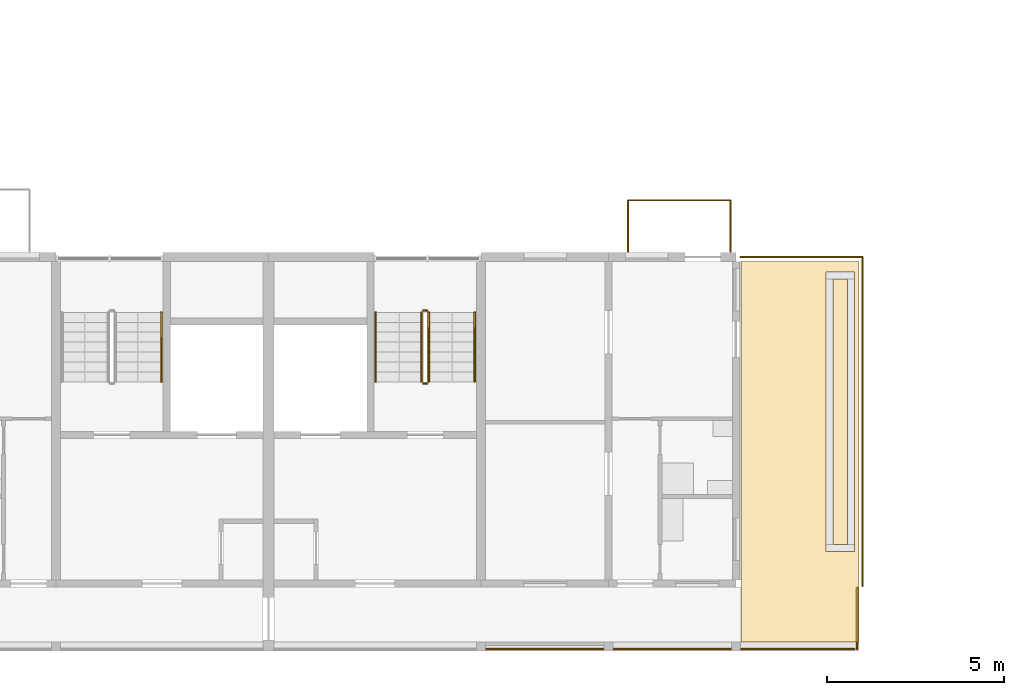
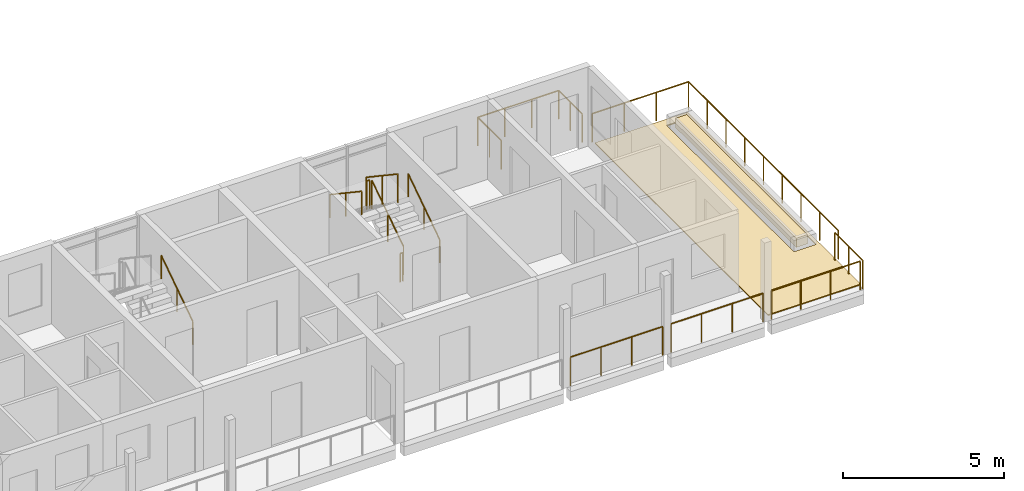
# One storey, part 53 of 64: 13 railings, 3 coverings.
"""IFC4 building model written with IfcOpenShell, lengths in metres."""

from ifc_helpers import new_model, si_unit, direction, frame, origin, origin_2d, place, context, subcontext, project, spatial, polyline, circle, outline, extrude, material, layer, layer_set, type_object, element, save


model = new_model("IFC4")

# Units and contexts
model_context = context("Model", 3, precision=1e-05, world=origin(), true_north=direction((0.0, 1.0)))
body_context = subcontext(model_context, "Body", "Model", "MODEL_VIEW")
ifc_project = project(units=[si_unit("LENGTHUNIT", "METRE"), si_unit("AREAUNIT", "SQUARE_METRE"), si_unit("VOLUMEUNIT", "CUBIC_METRE"), si_unit("PLANEANGLEUNIT", "RADIAN"), si_unit("MASSUNIT", "GRAM", prefix="KILO")], contexts=[model_context])

# Site, building, storey
site_placement = place(None, origin())
site = spatial("IfcSite", under=ifc_project, at=site_placement, CompositionType="ELEMENT")
building_placement = place(site_placement, origin())
building = spatial("IfcBuilding", under=site, at=building_placement, Name="Ridgestep Commons", CompositionType="ELEMENT")
storey_placement = place(building_placement, frame((0.0, 0.0, 33.0)))
storey = spatial("IfcBuildingStorey", under=building, at=storey_placement, Name="L11", CompositionType="ELEMENT", Elevation=33.0)

# Railings
ifc_material_1 = material(Name="Structural steel S355JR", Category="steel")
railing_type_1 = type_object("IfcRailingType", Name="Guard 1100", PredefinedType="GUARDRAIL", material=ifc_material_1)
railing_1_placement = place(storey_placement, frame((112.779052734375, 13.571044921875, 0.0)))
element("IfcRailing", 1, at=railing_1_placement, inside=storey, type_object=railing_type_1, Name="Guard TD-A6R1-GD", PredefinedType="GUARDRAIL", context=body_context, shape_type="SweptSolid", body=[
    extrude(circle(Radius=0.02392578125, at=origin_2d()), frame((0.0, 0.0, 1.076171875), z_axis=(0.0, 1.0, 0.0), x_axis=(-1.0, 0.0, 0.0)), (0.0, 0.0, 1.0), 9.303955078125),
    extrude(circle(Radius=0.02392578125, at=origin_2d()), frame((0.0, 9.303955078125, 1.076171875), z_axis=(-1.0, 0.0, 0.0), x_axis=(0.0, -1.0, 0.0)), (0.0, 0.0, 1.0), 3.4580078125),
    extrude(circle(Radius=0.02099609375, at=origin_2d()), origin(), (0.0, 0.0, 1.0), 1.052001953125),
    extrude(circle(Radius=0.02099609375, at=origin_2d()), frame((0.0, 1.1630859375, 0.0)), (0.0, 0.0, 1.0), 1.052001953125),
    extrude(circle(Radius=0.02099609375, at=origin_2d()), frame((0.0, 2.325927734375, 0.0)), (0.0, 0.0, 1.0), 1.052001953125),
    extrude(circle(Radius=0.02099609375, at=origin_2d()), frame((0.0, 3.489013671875, 0.0)), (0.0, 0.0, 1.0), 1.052001953125),
    extrude(circle(Radius=0.02099609375, at=origin_2d()), frame((0.0, 4.65185546875, 0.0)), (0.0, 0.0, 1.0), 1.052001953125),
    extrude(circle(Radius=0.02099609375, at=origin_2d()), frame((0.0, 5.81494140625, 0.0)), (0.0, 0.0, 1.0), 1.052001953125),
    extrude(circle(Radius=0.02099609375, at=origin_2d()), frame((0.0, 6.97802734375, 0.0)), (0.0, 0.0, 1.0), 1.052001953125),
    extrude(circle(Radius=0.02099609375, at=origin_2d()), frame((0.0, 8.140869140625, 0.0)), (0.0, 0.0, 1.0), 1.052001953125),
    extrude(circle(Radius=0.02099609375, at=origin_2d()), frame((0.0, 9.303955078125, 0.0)), (0.0, 0.0, 1.0), 1.052001953125),
    extrude(circle(Radius=0.02099609375, at=origin_2d()), frame((-1.152587890625, 9.303955078125, 0.0)), (0.0, 0.0, 1.0), 1.052001953125),
    extrude(circle(Radius=0.02099609375, at=origin_2d()), frame((-2.305419921875, 9.303955078125, 0.0)), (0.0, 0.0, 1.0), 1.052001953125),
    extrude(circle(Radius=0.02099609375, at=origin_2d()), frame((-3.4580078125, 9.303955078125, 0.0)), (0.0, 0.0, 1.0), 1.052001953125),
])
railing_2_placement = place(storey_placement, frame((102.14599609375, 11.800048828125, 0.0)))
element("IfcRailing", 2, at=railing_2_placement, inside=storey, type_object=railing_type_1, Name="Gallery guard A 11.9", PredefinedType="GUARDRAIL", context=body_context, shape_type="SweptSolid", body=[
    extrude(circle(Radius=0.02392578125, at=origin_2d()), frame((0.0, 0.0, 1.076171875), z_axis=(1.0, 0.0, 0.0), x_axis=(0.0, 1.0, 0.0)), (0.0, 0.0, 1.0), 3.30810546875),
    extrude(circle(Radius=0.02099609375, at=origin_2d()), origin(), (0.0, 0.0, 1.0), 1.052001953125),
    extrude(circle(Radius=0.02099609375, at=origin_2d()), frame((1.102783203125, 0.0, 0.0)), (0.0, 0.0, 1.0), 1.052001953125),
    extrude(circle(Radius=0.02099609375, at=origin_2d()), frame((2.205322265625, 0.0, 0.0)), (0.0, 0.0, 1.0), 1.052001953125),
    extrude(circle(Radius=0.02099609375, at=origin_2d()), frame((3.30810546875, 0.0, 0.0)), (0.0, 0.0, 1.0), 1.052001953125),
])
railing_3_placement = place(storey_placement, frame((105.74609375, 11.800048828125, 0.0)))
element("IfcRailing", 3, at=railing_3_placement, inside=storey, type_object=railing_type_1, Name="Gallery guard A 11.10", PredefinedType="GUARDRAIL", context=body_context, shape_type="SweptSolid", body=[
    extrude(circle(Radius=0.02392578125, at=origin_2d()), frame((0.0, 0.0, 1.076171875), z_axis=(1.0, 0.0, 0.0), x_axis=(0.0, 1.0, 0.0)), (0.0, 0.0, 1.0), 3.307861328125),
    extrude(circle(Radius=0.02099609375, at=origin_2d()), origin(), (0.0, 0.0, 1.0), 1.052001953125),
    extrude(circle(Radius=0.02099609375, at=origin_2d()), frame((1.1025390625, 0.0, 0.0)), (0.0, 0.0, 1.0), 1.052001953125),
    extrude(circle(Radius=0.02099609375, at=origin_2d()), frame((2.205322265625, 0.0, 0.0)), (0.0, 0.0, 1.0), 1.052001953125),
    extrude(circle(Radius=0.02099609375, at=origin_2d()), frame((3.307861328125, 0.0, 0.0)), (0.0, 0.0, 1.0), 1.052001953125),
])
railing_4_placement = place(storey_placement, frame((109.345947265625, 11.800048828125, 0.0)))
element("IfcRailing", 4, at=railing_4_placement, inside=storey, type_object=railing_type_1, Name="Gallery guard A 11.11", PredefinedType="GUARDRAIL", context=body_context, shape_type="SweptSolid", body=[
    extrude(circle(Radius=0.02392578125, at=origin_2d()), frame((0.0, 0.0, 1.076171875), z_axis=(1.0, 0.0, 0.0), x_axis=(0.0, 1.0, 0.0)), (0.0, 0.0, 1.0), 3.193115234375),
    extrude(circle(Radius=0.02099609375, at=origin_2d()), origin(), (0.0, 0.0, 1.0), 1.052001953125),
    extrude(circle(Radius=0.02099609375, at=origin_2d()), frame((1.064453125, 0.0, 0.0)), (0.0, 0.0, 1.0), 1.052001953125),
    extrude(circle(Radius=0.02099609375, at=origin_2d()), frame((2.128662109375, 0.0, 0.0)), (0.0, 0.0, 1.0), 1.052001953125),
    extrude(circle(Radius=0.02099609375, at=origin_2d()), frame((3.193115234375, 0.0, 0.0)), (0.0, 0.0, 1.0), 1.052001953125),
])
railing_5_placement = place(storey_placement, frame((112.62890625, 11.800048828125, 0.0)))
element("IfcRailing", 5, at=railing_5_placement, inside=storey, type_object=railing_type_1, Name="Gallery end guard A 11.11E", PredefinedType="GUARDRAIL", context=body_context, shape_type="SweptSolid", body=[
    extrude(circle(Radius=0.02392578125, at=origin_2d()), frame((0.0, 0.0, 1.076171875), z_axis=(0.0, 1.0, 0.0), x_axis=(-1.0, 0.0, 0.0)), (0.0, 0.0, 1.0), 1.72900390625),
    extrude(circle(Radius=0.02099609375, at=origin_2d()), origin(), (0.0, 0.0, 1.0), 1.052001953125),
    extrude(circle(Radius=0.02099609375, at=origin_2d()), frame((0.0, 0.864501953125, 0.0)), (0.0, 0.0, 1.0), 1.052001953125),
    extrude(circle(Radius=0.02099609375, at=origin_2d()), frame((0.0, 1.72900390625, 0.0)), (0.0, 0.0, 1.0), 1.052001953125),
])

# Covering
ifc_material_2 = material(Name="Planting soil")
ifc_layer_1 = layer(ifc_material_2, 0.35009765625)
ifc_layer_set_1 = layer_set([ifc_layer_1], Name="Planting soil 350")
covering_type_1 = type_object("IfcCoveringType", Name="Planting soil 350", PredefinedType="FLOORING", material=ifc_layer_set_1)
covering_1_placement = place(storey_placement, frame((0.0, 0.0, 0.010009765625)))
element("IfcCovering", 6, at=covering_1_placement, inside=storey, type_object=covering_type_1, Name="Planting soil A6R1", PredefinedType="FLOORING", context=body_context, shape_type="SweptSolid", body=[
    extrude(outline(polyline([(111.949951171875, 14.75), (112.35009765625, 14.75), (112.35009765625, 22.25), (111.949951171875, 22.25), (111.949951171875, 14.75)])), origin(), (0.0, 0.0, 1.0), 0.35009765625),
])

# Railings
ifc_material_3 = material(Name="Structural steel S355JR", Category="steel")
railing_type_2 = type_object("IfcRailingType", Name="Stair guard 1100", PredefinedType="GUARDRAIL", material=ifc_material_3)
railing_6_placement = place(storey_placement, frame((100.52490234375, 19.35009765625, 0.1875)))
element("IfcRailing", 7, at=railing_6_placement, inside=storey, type_object=railing_type_2, Name="L11 A6C stair guard 1", PredefinedType="GUARDRAIL", context=body_context, shape_type="SweptSolid", body=[
    extrude(circle(Radius=0.02392578125, at=origin_2d()), frame((0.0, 0.0, 1.076171875), z_axis=(0.0, 0.830902050051, 0.556418712142), x_axis=(-1.0, 0.0, 0.0)), (0.0, 0.0, 1.0), 2.35888671875),
    extrude(circle(Radius=0.02099609375, at=origin_2d()), origin(), (0.0, 0.0, 1.0), 1.052001953125),
    extrude(circle(Radius=0.02099609375, at=origin_2d()), frame((0.0, 0.97998046875, 0.65625)), (0.0, 0.0, 1.0), 1.052001953125),
    extrude(circle(Radius=0.02099609375, at=origin_2d()), frame((0.0, 1.9599609375, 1.3125)), (0.0, 0.0, 1.0), 1.052001953125),
])
railing_7_placement = place(storey_placement, frame((100.47509765625, 21.360107421875, 1.5)))
element("IfcRailing", 8, at=railing_7_placement, inside=storey, type_object=railing_type_2, Name="L11 A6C stair guard 2", PredefinedType="GUARDRAIL", context=body_context, shape_type="SweptSolid", body=[
    extrude(circle(Radius=0.02392578125, at=origin_2d()), frame((0.0, 0.0, 1.076171875), z_axis=(-1.0, 0.0, 0.0), x_axis=(0.0, -1.0, 0.0)), (0.0, 0.0, 1.0), 0.10009765625),
    extrude(circle(Radius=0.02099609375, at=origin_2d()), origin(), (0.0, 0.0, 1.0), 1.052001953125),
    extrude(circle(Radius=0.02099609375, at=origin_2d()), frame((-0.10009765625, 0.0, 0.0)), (0.0, 0.0, 1.0), 1.052001953125),
])
railing_8_placement = place(storey_placement, frame((100.324951171875, 21.31005859375, 1.6875)))
element("IfcRailing", 9, at=railing_8_placement, inside=storey, type_object=railing_type_2, Name="L11 A6C stair guard 3", PredefinedType="GUARDRAIL", context=body_context, shape_type="SweptSolid", body=[
    extrude(circle(Radius=0.02392578125, at=origin_2d()), frame((0.0, 0.0, 1.076171875), z_axis=(0.0, -0.830902050051, 0.556418712142), x_axis=(1.0, 0.0, 0.0)), (0.0, 0.0, 1.0), 2.35888671875),
    extrude(circle(Radius=0.02099609375, at=origin_2d()), origin(), (0.0, 0.0, 1.0), 1.052001953125),
    extrude(circle(Radius=0.02099609375, at=origin_2d()), frame((0.0, -0.97998046875, 0.65625)), (0.0, 0.0, 1.0), 1.052001953125),
    extrude(circle(Radius=0.02099609375, at=origin_2d()), frame((0.0, -1.9599609375, 1.3125)), (0.0, 0.0, 1.0), 1.052001953125),
])
railing_9_placement = place(storey_placement, frame((100.47509765625, 19.300048828125, 0.0)))
element("IfcRailing", 10, at=railing_9_placement, inside=storey, type_object=railing_type_2, Name="L11 A6C stair guard 4", PredefinedType="GUARDRAIL", context=body_context, shape_type="SweptSolid", body=[
    extrude(circle(Radius=0.02392578125, at=origin_2d()), frame((0.0, 0.0, 1.076171875), z_axis=(-1.0, 0.0, 0.0), x_axis=(0.0, -1.0, 0.0)), (0.0, 0.0, 1.0), 0.10009765625),
    extrude(circle(Radius=0.02099609375, at=origin_2d()), origin(), (0.0, 0.0, 1.0), 1.052001953125),
    extrude(circle(Radius=0.02099609375, at=origin_2d()), frame((-0.10009765625, 0.0, 0.0)), (0.0, 0.0, 1.0), 1.052001953125),
])
ifc_material_4 = material(Name="Structural steel S355JR", Category="steel")
railing_type_3 = type_object("IfcRailingType", Name="Stair handrail 900", PredefinedType="HANDRAIL", material=ifc_material_4)
for number, where, name in (
    (11, (92.97509765625, 19.35009765625, 0.1875), "L11 A5C stair handrail 1"),
    (12, (101.824951171875, 19.35009765625, 0.1875), "L11 A6C stair handrail 1"),
):
    element("IfcRailing", number, at=place(storey_placement, frame(where)), inside=storey, type_object=railing_type_3, Name=name, PredefinedType="HANDRAIL", context=body_context, shape_type="SweptSolid", body=[
        extrude(circle(Radius=0.02392578125, at=origin_2d()), frame((0.0, 0.0, 0.8759765625), z_axis=(0.0, 0.830902050051, 0.556418712142), x_axis=(-1.0, 0.0, 0.0)), (0.0, 0.0, 1.0), 2.35888671875),
        extrude(circle(Radius=0.02099609375, at=origin_2d()), origin(), (0.0, 0.0, 1.0), 0.851806640625),
        extrude(circle(Radius=0.02099609375, at=origin_2d()), frame((0.0, 0.97998046875, 0.65625)), (0.0, 0.0, 1.0), 0.851806640625),
        extrude(circle(Radius=0.02099609375, at=origin_2d()), frame((0.0, 1.9599609375, 1.3125)), (0.0, 0.0, 1.0), 0.851806640625),
    ])
railing_10_placement = place(storey_placement, frame((99.02490234375, 21.31005859375, 1.6875)))
element("IfcRailing", 13, at=railing_10_placement, inside=storey, type_object=railing_type_3, Name="L11 A6C stair handrail 2", PredefinedType="HANDRAIL", context=body_context, shape_type="SweptSolid", body=[
    extrude(circle(Radius=0.02392578125, at=origin_2d()), frame((0.0, 0.0, 0.8759765625), z_axis=(0.0, -0.830902050051, 0.556418712142), x_axis=(1.0, 0.0, 0.0)), (0.0, 0.0, 1.0), 2.35888671875),
    extrude(circle(Radius=0.02099609375, at=origin_2d()), origin(), (0.0, 0.0, 1.0), 0.851806640625),
    extrude(circle(Radius=0.02099609375, at=origin_2d()), frame((0.0, -0.97998046875, 0.65625)), (0.0, 0.0, 1.0), 0.851806640625),
    extrude(circle(Radius=0.02099609375, at=origin_2d()), frame((0.0, -1.9599609375, 1.3125)), (0.0, 0.0, 1.0), 0.851806640625),
])

# Coverings
ifc_material_5 = material(Name="Bitumen membrane, two layer")
ifc_layer_2 = layer(ifc_material_5, 0.010009765625)
ifc_layer_set_2 = layer_set([ifc_layer_2], Name="Terrace membrane 10")
covering_type_2 = type_object("IfcCoveringType", Name="Terrace membrane 10", PredefinedType="ROOFING", material=ifc_layer_set_2)
covering_2_placement = place(storey_placement, origin())
element("IfcCovering", 14, at=covering_2_placement, inside=storey, type_object=covering_type_2, Name="Terrace membrane A6R1", PredefinedType="ROOFING", context=body_context, shape_type="SweptSolid", body=[
    extrude(outline(polyline([(112.675048828125, 12.0), (112.675048828125, 22.75), (109.35009765625, 22.75), (109.35009765625, 12.0), (112.675048828125, 12.0)]), holes=[polyline([(112.550048828125, 14.550048828125), (112.550048828125, 22.449951171875), (111.75, 22.449951171875), (111.75, 14.550048828125), (112.550048828125, 14.550048828125)])]), origin(), (0.0, 0.0, 1.0), 0.010009765625),
])
ifc_material_6 = material(Name="Concrete paving slab", Category="concrete")
ifc_layer_3 = layer(ifc_material_6, 0.030029296875)
ifc_layer_set_3 = layer_set([ifc_layer_3], Name="Terrace paving 30")
covering_type_3 = type_object("IfcCoveringType", Name="Terrace paving 30", PredefinedType="FLOORING", material=ifc_layer_set_3)
covering_3_placement = place(storey_placement, frame((0.0, 0.0, 0.010009765625)))
element("IfcCovering", 15, at=covering_3_placement, inside=storey, type_object=covering_type_3, Name="Terrace paving A6R1", PredefinedType="FLOORING", context=body_context, shape_type="SweptSolid", body=[
    extrude(outline(polyline([(112.675048828125, 12.0), (112.675048828125, 22.75), (109.35009765625, 22.75), (109.35009765625, 12.0), (112.675048828125, 12.0)]), holes=[polyline([(112.550048828125, 14.550048828125), (112.550048828125, 22.449951171875), (111.75, 22.449951171875), (111.75, 14.550048828125), (112.550048828125, 14.550048828125)])]), origin(), (0.0, 0.0, 1.0), 0.030029296875),
])

# Railing
ifc_material_7 = material(Name="Weathering steel S355J2W", Category="steel")
railing_type_4 = type_object("IfcRailingType", Name="Tray guard 1100", PredefinedType="GUARDRAIL", material=ifc_material_7)
railing_11_placement = place(storey_placement, frame((106.15087890625, 23.02099609375, 0.0)))
element("IfcRailing", 16, at=railing_11_placement, inside=storey, type_object=railing_type_4, Name="Tray guard A6T2-11", PredefinedType="GUARDRAIL", context=body_context, shape_type="SweptSolid", body=[
    extrude(circle(Radius=0.02392578125, at=origin_2d()), frame((0.0, 0.0, 1.076171875), z_axis=(0.0, 1.0, 0.0), x_axis=(-1.0, 0.0, 0.0)), (0.0, 0.0, 1.0), 1.4580078125),
    extrude(circle(Radius=0.02392578125, at=origin_2d()), frame((0.0, 1.4580078125, 1.076171875), z_axis=(1.0, 0.0, 0.0), x_axis=(0.0, 1.0, 0.0)), (0.0, 0.0, 1.0), 2.898193359375),
    extrude(circle(Radius=0.02392578125, at=origin_2d()), frame((2.898193359375, 1.4580078125, 1.076171875), z_axis=(0.0, -1.0, 0.0), x_axis=(1.0, 0.0, 0.0)), (0.0, 0.0, 1.0), 1.4580078125),
    extrude(circle(Radius=0.02099609375, at=origin_2d()), origin(), (0.0, 0.0, 1.0), 1.052001953125),
    extrude(circle(Radius=0.02099609375, at=origin_2d()), frame((0.0, 0.72900390625, 0.0)), (0.0, 0.0, 1.0), 1.052001953125),
    extrude(circle(Radius=0.02099609375, at=origin_2d()), frame((0.0, 1.4580078125, 0.0)), (0.0, 0.0, 1.0), 1.052001953125),
    extrude(circle(Radius=0.02099609375, at=origin_2d()), frame((0.966064453125, 1.4580078125, 0.0)), (0.0, 0.0, 1.0), 1.052001953125),
    extrude(circle(Radius=0.02099609375, at=origin_2d()), frame((1.93212890625, 1.4580078125, 0.0)), (0.0, 0.0, 1.0), 1.052001953125),
    extrude(circle(Radius=0.02099609375, at=origin_2d()), frame((2.898193359375, 1.4580078125, 0.0)), (0.0, 0.0, 1.0), 1.052001953125),
    extrude(circle(Radius=0.02099609375, at=origin_2d()), frame((2.898193359375, 0.72900390625, 0.0)), (0.0, 0.0, 1.0), 1.052001953125),
    extrude(circle(Radius=0.02099609375, at=origin_2d()), frame((2.898193359375, 0.0, 0.0)), (0.0, 0.0, 1.0), 1.052001953125),
])

save(model, "model.ifc")
